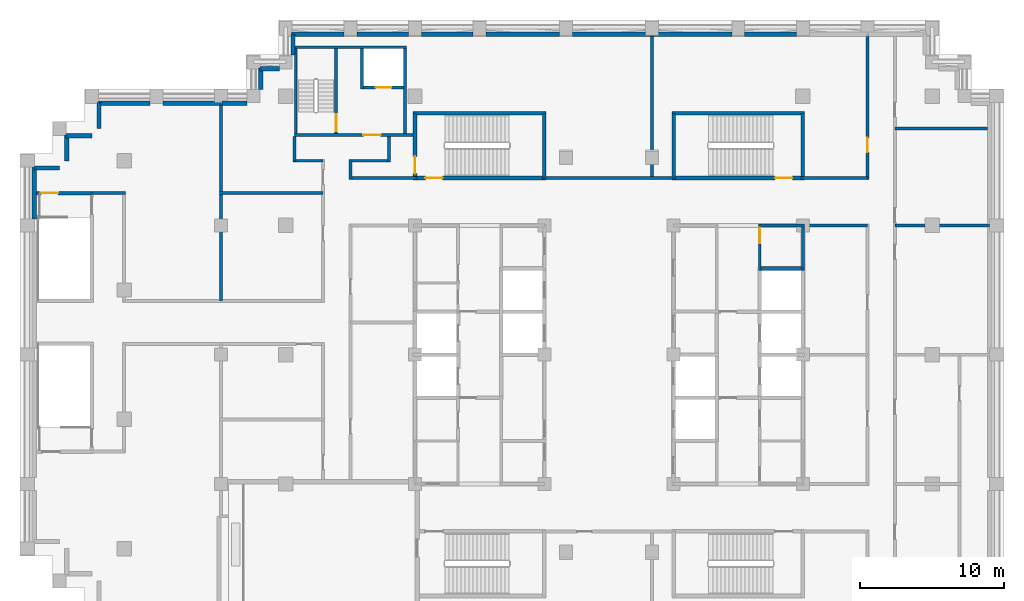
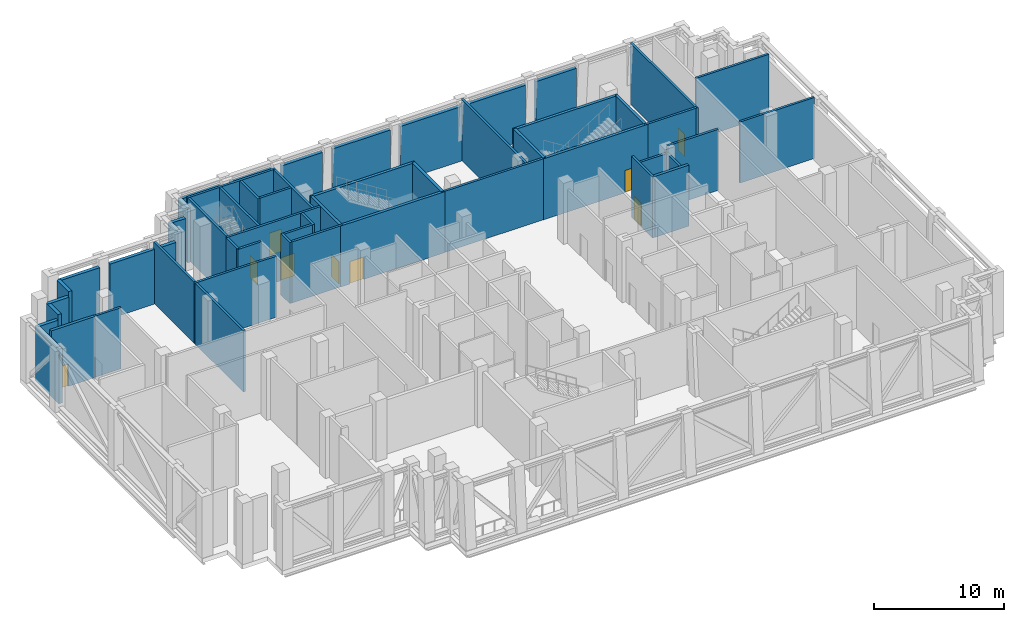
# One storey, part 7 of 10: 54 walls, 9 doors, 9 openings.
"""IFC4 building model written with IfcOpenShell, lengths in metres."""

from ifc_helpers import new_model, si_unit, direction, frame, frame_2d, origin, place, context, subcontext, project, spatial, rectangle, extrude, material, layer, layer_set, type_object, element, fill, save


model = new_model("IFC4")

# Units and contexts
model_context = context("Model", 3, precision=1e-05, world=origin(), true_north=direction((0.0, 1.0)))
body_context = subcontext(model_context, "Body", "Model", "MODEL_VIEW")
ifc_project = project(units=[si_unit("LENGTHUNIT", "METRE"), si_unit("AREAUNIT", "SQUARE_METRE"), si_unit("VOLUMEUNIT", "CUBIC_METRE"), si_unit("PLANEANGLEUNIT", "RADIAN"), si_unit("MASSUNIT", "GRAM", prefix="KILO")], contexts=[model_context])

# Site, building, storey
site_placement = place(None, origin())
site = spatial("IfcSite", under=ifc_project, at=site_placement, CompositionType="ELEMENT")
building_placement = place(site_placement, origin())
building = spatial("IfcBuilding", under=site, at=building_placement, Name="Corbelhall Arena Tower", CompositionType="ELEMENT")
storey_placement = place(building_placement, frame((0.0, 0.0, 236.0)))
storey = spatial("IfcBuildingStorey", under=building, at=storey_placement, Name="L50", CompositionType="ELEMENT", Elevation=236.0)

# Walls
ifc_material_1 = material(Name="Precast concrete C40/50 with granite facing", Category="masonry")
ifc_layer_1 = layer(ifc_material_1, 0.300048828125)
ifc_layer_set_1 = layer_set([ifc_layer_1], Name="EV-IW1 Infill panel 300")
wall_type_1 = type_object("IfcWallType", Name="EV-IW1 Infill panel 300", PredefinedType="SOLIDWALL", material=ifc_layer_set_1)
for number, where, z_axis, x_axis, name in (
    (1, (-35.5, 17.550048828125, 0.0), (0.0, 0.0, 1.0), (0.0, -1.0, 0.0), "Infill panel IW1"),
    (2, (-37.800048828125, 15.25, 0.0), (0.0, 0.0, 1.0), (1.0, 0.0, 0.0), "Infill panel IW1"),
    (3, (-37.75, 15.300048828125, 0.0), (0.0, 0.0, 1.0), (0.0, -1.0, 0.0), "Infill panel IW1"),
):
    element("IfcWall", number, at=place(storey_placement, frame(where, z_axis=z_axis, x_axis=x_axis)), inside=storey, type_object=wall_type_1, Name=name, PredefinedType="SOLIDWALL", context=body_context, shape_type="SweptSolid", body=[
        extrude(rectangle(XDim=1.800048828125, YDim=0.300048828125, at=frame_2d((0.89990234375, 0.0))), origin(), (0.0, 0.0, 1.0), 5.1201171875),
    ])
wall_1_placement = place(storey_placement, frame((-40.0, 13.0, 0.0), z_axis=(0.0, 0.0, 1.0), x_axis=(1.0, 0.0, 0.0)))
element("IfcWall", 4, at=wall_1_placement, inside=storey, type_object=wall_type_1, Name="Infill panel IW1", PredefinedType="SOLIDWALL", context=body_context, shape_type="SweptSolid", body=[
    extrude(rectangle(XDim=1.75, YDim=0.300048828125, at=frame_2d((0.875, 0.0))), origin(), (0.0, 0.0, 1.0), 5.1201171875),
])
wall_2_placement = place(storey_placement, frame((-24.25, 19.949951171875, 0.0), z_axis=(0.0, 0.0, 1.0), x_axis=(0.0, -1.0, 0.0)))
element("IfcWall", 5, at=wall_2_placement, inside=storey, type_object=wall_type_1, Name="Infill panel IW1", PredefinedType="SOLIDWALL", context=body_context, shape_type="SweptSolid", body=[
    extrude(rectangle(XDim=1.5, YDim=0.300048828125, at=frame_2d((0.75, 0.0))), origin(), (0.0, 0.0, 1.0), 5.1201171875),
])
wall_3_placement = place(storey_placement, frame((-25.199951171875, 17.5, 0.0), z_axis=(0.0, 0.0, 1.0), x_axis=(-1.0, 0.0, 0.0)))
element("IfcWall", 6, at=wall_3_placement, inside=storey, type_object=wall_type_1, Name="Infill panel IW1", PredefinedType="SOLIDWALL", context=body_context, shape_type="SweptSolid", body=[
    extrude(rectangle(XDim=1.75, YDim=0.300048828125, at=frame_2d((0.875, 0.0))), origin(), (0.0, 0.0, 1.0), 5.1201171875),
])
wall_4_placement = place(storey_placement, frame((-27.050048828125, 17.5, 0.0), z_axis=(0.0, 0.0, 1.0), x_axis=(-1.0, 0.0, 0.0)))
element("IfcWall", 7, at=wall_4_placement, inside=storey, type_object=wall_type_1, Name="Infill panel IW1", PredefinedType="SOLIDWALL", context=body_context, shape_type="SweptSolid", body=[
    extrude(rectangle(XDim=4.0, YDim=0.300048828125, at=frame_2d((2.0, 0.0))), origin(), (0.0, 0.0, 1.0), 5.1201171875),
])
wall_5_placement = place(storey_placement, frame((-31.949951171875, 17.5, 0.0), z_axis=(0.0, 0.0, 1.0), x_axis=(-1.0, 0.0, 0.0)))
element("IfcWall", 8, at=wall_5_placement, inside=storey, type_object=wall_type_1, Name="Infill panel IW1", PredefinedType="SOLIDWALL", context=body_context, shape_type="SweptSolid", body=[
    extrude(rectangle(XDim=3.60009765625, YDim=0.300048828125, at=frame_2d((1.800048828125, 0.0))), origin(), (0.0, 0.0, 1.0), 5.1201171875),
])
wall_6_placement = place(storey_placement, frame((-40.0, 13.110107421875, 0.0), z_axis=(0.0, 0.0, 1.0), x_axis=(0.0, -1.0, 0.0)))
element("IfcWall", 9, at=wall_6_placement, inside=storey, type_object=wall_type_1, Name="Infill panel IW1", PredefinedType="SOLIDWALL", context=body_context, shape_type="SweptSolid", body=[
    extrude(rectangle(XDim=3.66015625, YDim=0.300048828125, at=frame_2d((1.830078125, 0.0))), origin(), (0.0, 0.0, 1.0), 5.1201171875),
])
wall_7_placement = place(storey_placement, frame((13.050048828125, 22.300048828125, 0.0), z_axis=(0.0, 0.0, 1.0), x_axis=(-1.0, 0.0, 0.0)))
element("IfcWall", 10, at=wall_7_placement, inside=storey, type_object=wall_type_1, Name="Infill panel IW1", PredefinedType="SOLIDWALL", context=body_context, shape_type="SweptSolid", body=[
    extrude(rectangle(XDim=3.60009765625, YDim=0.300048828125, at=frame_2d((1.800048828125, 0.0))), origin(), (0.0, 0.0, 1.0), 5.1201171875),
])
for number, where, z_axis, x_axis, name in (
    (11, (8.550048828125, 22.300048828125, 0.0), (0.0, 0.0, 1.0), (-1.0, 0.0, 0.0), "Infill panel IW1"),
    (12, (2.949951171875, 22.300048828125, 0.0), (0.0, 0.0, 1.0), (-1.0, 0.0, 0.0), "Infill panel IW1"),
):
    element("IfcWall", number, at=place(storey_placement, frame(where, z_axis=z_axis, x_axis=x_axis)), inside=storey, type_object=wall_type_1, Name=name, PredefinedType="SOLIDWALL", context=body_context, shape_type="SweptSolid", body=[
        extrude(rectangle(XDim=5.5, YDim=0.300048828125, at=frame_2d((2.75, 0.0))), origin(), (0.0, 0.0, 1.0), 5.1201171875),
    ])
wall_8_placement = place(storey_placement, frame((-3.449951171875, 22.300048828125, 0.0), z_axis=(0.0, 0.0, 1.0), x_axis=(-1.0, 0.0, 0.0)))
element("IfcWall", 13, at=wall_8_placement, inside=storey, type_object=wall_type_1, Name="Infill panel IW1", PredefinedType="SOLIDWALL", context=body_context, shape_type="SweptSolid", body=[
    extrude(rectangle(XDim=5.10009765625, YDim=0.300048828125, at=frame_2d((2.550048828125, 0.0))), origin(), (0.0, 0.0, 1.0), 5.1201171875),
])
for number, where, z_axis, x_axis, name in (
    (14, (-9.449951171875, 22.300048828125, 0.0), (0.0, 0.0, 1.0), (-1.0, 0.0, 0.0), "Infill panel IW1"),
    (15, (-13.949951171875, 22.300048828125, 0.0), (0.0, 0.0, 1.0), (-1.0, 0.0, 0.0), "Infill panel IW1"),
):
    element("IfcWall", number, at=place(storey_placement, frame(where, z_axis=z_axis, x_axis=x_axis)), inside=storey, type_object=wall_type_1, Name=name, PredefinedType="SOLIDWALL", context=body_context, shape_type="SweptSolid", body=[
        extrude(rectangle(XDim=3.60009765625, YDim=0.300048828125, at=frame_2d((1.800048828125, 0.0))), origin(), (0.0, 0.0, 1.0), 5.1201171875),
    ])
wall_9_placement = place(storey_placement, frame((-18.449951171875, 22.300048828125, 0.0), z_axis=(0.0, 0.0, 1.0), x_axis=(-1.0, 0.0, 0.0)))
element("IfcWall", 16, at=wall_9_placement, inside=storey, type_object=wall_type_1, Name="Infill panel IW1", PredefinedType="SOLIDWALL", context=body_context, shape_type="SweptSolid", body=[
    extrude(rectangle(XDim=3.66015625, YDim=0.300048828125, at=frame_2d((1.830078125, 0.0))), origin(), (0.0, 0.0, 1.0), 5.1201171875),
])
wall_10_placement = place(storey_placement, frame((-22.0, 22.300048828125, 0.0), z_axis=(0.0, 0.0, 1.0), x_axis=(0.0, -1.0, 0.0)))
element("IfcWall", 17, at=wall_10_placement, inside=storey, type_object=wall_type_1, Name="Infill panel IW1", PredefinedType="SOLIDWALL", context=body_context, shape_type="SweptSolid", body=[
    extrude(rectangle(XDim=1.449951171875, YDim=0.300048828125, at=frame_2d((0.72509765625, 0.0))), origin(), (0.0, 0.0, 1.0), 5.1201171875),
])
wall_11_placement = place(storey_placement, frame((-22.949951171875, 19.89990234375, 0.0), z_axis=(0.0, 0.0, 1.0), x_axis=(-1.0, 0.0, 0.0)))
element("IfcWall", 18, at=wall_11_placement, inside=storey, type_object=wall_type_1, Name="Infill panel IW1", PredefinedType="SOLIDWALL", context=body_context, shape_type="SweptSolid", body=[
    extrude(rectangle(XDim=1.35009765625, YDim=0.300048828125, at=frame_2d((0.675048828125, 0.0))), origin(), (0.0, 0.0, 1.0), 5.1201171875),
])
ifc_material_2 = material(Name="Gypsum board on steel stud, acoustic", Category="steel")
ifc_layer_2 = layer(ifc_material_2, 0.199951171875)
ifc_layer_set_2 = layer_set([ifc_layer_2], Name="IN-W-DM200")
wall_type_2 = type_object("IfcWallType", Name="IN-W-DM200", PredefinedType="PARTITIONING", material=ifc_layer_set_2)
wall_12_placement = place(storey_placement, frame((-36.0, 11.25, 0.0), z_axis=(0.0, 0.0, 1.0), x_axis=(1.0, 0.0, 0.0)))
element("IfcWall", 19, at=wall_12_placement, inside=storey, type_object=wall_type_2, Name="Partition 001", PredefinedType="PARTITIONING", context=body_context, shape_type="SweptSolid", body=[
    extrude(rectangle(XDim=2.35009765625, YDim=0.199951171875, at=frame_2d((1.175048828125, 0.0))), origin(), (0.0, 0.0, 1.0), 5.719970703125),
])
wall_13_placement = place(storey_placement, frame((-27.10009765625, 11.25, 0.0), z_axis=(0.0, 0.0, 1.0), x_axis=(1.0, 0.0, 0.0)))
element("IfcWall", 20, at=wall_13_placement, inside=storey, type_object=wall_type_2, Name="Partition 007", PredefinedType="PARTITIONING", context=body_context, shape_type="SweptSolid", body=[
    extrude(rectangle(XDim=7.2001953125, YDim=0.199951171875, at=frame_2d((3.60009765625, 0.0))), origin(), (0.0, 0.0, 1.0), 5.719970703125),
])
wall_14_placement = place(storey_placement, frame((-27.0, 3.75, 0.0), z_axis=(0.0, 0.0, 1.0), x_axis=(0.0, 1.0, 0.0)))
element("IfcWall", 21, at=wall_14_placement, inside=storey, type_object=wall_type_2, Name="Partition 009", PredefinedType="PARTITIONING", context=body_context, shape_type="SweptSolid", body=[
    extrude(rectangle(XDim=13.75, YDim=0.199951171875, at=frame_2d((6.875, 0.0))), origin(), (0.0, 0.0, 1.0), 5.719970703125),
])
wall_15_placement = place(storey_placement, frame((-21.89990234375, 13.5, 0.0), z_axis=(0.0, 0.0, 1.0), x_axis=(0.0, 1.0, 0.0)))
element("IfcWall", 22, at=wall_15_placement, inside=storey, type_object=wall_type_2, Name="Partition 012", PredefinedType="PARTITIONING", context=body_context, shape_type="SweptSolid", body=[
    extrude(rectangle(XDim=1.699951171875, YDim=0.199951171875, at=frame_2d((0.85009765625, 0.0))), origin(), (0.0, 0.0, 1.0), 5.719970703125),
])
wall_16_placement = place(storey_placement, frame((-19.89990234375, 13.5, 0.0), z_axis=(0.0, 0.0, 1.0), x_axis=(-1.0, 0.0, 0.0)))
element("IfcWall", 23, at=wall_16_placement, inside=storey, type_object=wall_type_2, Name="Partition 015", PredefinedType="PARTITIONING", context=body_context, shape_type="SweptSolid", body=[
    extrude(rectangle(XDim=2.10009765625, YDim=0.199951171875, at=frame_2d((1.050048828125, 0.0))), origin(), (0.0, 0.0, 1.0), 5.719970703125),
])
wall_17_placement = place(storey_placement, frame((-18.0, 12.300048828125, 0.0), z_axis=(0.0, 0.0, 1.0), x_axis=(1.0, 0.0, 0.0)))
element("IfcWall", 24, at=wall_17_placement, inside=storey, type_object=wall_type_2, Name="Partition 018", PredefinedType="PARTITIONING", context=body_context, shape_type="SweptSolid", body=[
    extrude(rectangle(XDim=4.625, YDim=0.199951171875, at=frame_2d((2.3125, 0.0))), origin(), (0.0, 0.0, 1.0), 5.719970703125),
])
wall_18_placement = place(storey_placement, frame((-18.0, 13.60009765625, 0.0), z_axis=(0.0, 0.0, 1.0), x_axis=(0.0, -1.0, 0.0)))
element("IfcWall", 25, at=wall_18_placement, inside=storey, type_object=wall_type_2, Name="Partition 019", PredefinedType="PARTITIONING", context=body_context, shape_type="SweptSolid", body=[
    extrude(rectangle(XDim=1.400146484375, YDim=0.199951171875, at=frame_2d((0.7001953125, 0.0))), origin(), (0.0, 0.0, 1.0), 5.719970703125),
])
wall_19_placement = place(storey_placement, frame((-15.300048828125, 13.5, 0.0), z_axis=(0.0, 0.0, 1.0), x_axis=(-1.0, 0.0, 0.0)))
element("IfcWall", 26, at=wall_19_placement, inside=storey, type_object=wall_type_2, Name="Partition 020", PredefinedType="PARTITIONING", context=body_context, shape_type="SweptSolid", body=[
    extrude(rectangle(XDim=2.699951171875, YDim=0.199951171875, at=frame_2d((1.35009765625, 0.0))), origin(), (0.0, 0.0, 1.0), 5.719970703125),
])
wall_20_placement = place(storey_placement, frame((-15.300048828125, 15.199951171875, 0.0), z_axis=(0.0, 0.0, 1.0), x_axis=(0.0, -1.0, 0.0)))
element("IfcWall", 27, at=wall_20_placement, inside=storey, type_object=wall_type_2, Name="Partition 021", PredefinedType="PARTITIONING", context=body_context, shape_type="SweptSolid", body=[
    extrude(rectangle(XDim=1.800048828125, YDim=0.199951171875, at=frame_2d((0.89990234375, 0.0))), origin(), (0.0, 0.0, 1.0), 5.719970703125),
])
wall_21_placement = place(storey_placement, frame((-4.625, 12.300048828125, 0.0), z_axis=(0.0, 0.0, 1.0), x_axis=(1.0, 0.0, 0.0)))
element("IfcWall", 28, at=wall_21_placement, inside=storey, type_object=wall_type_2, Name="Partition 023", PredefinedType="PARTITIONING", context=body_context, shape_type="SweptSolid", body=[
    extrude(rectangle(XDim=9.25, YDim=0.199951171875, at=frame_2d((4.625, 0.0))), origin(), (0.0, 0.0, 1.0), 5.719970703125),
])
wall_22_placement = place(storey_placement, frame((3.0, 22.300048828125, 0.0), z_axis=(0.0, 0.0, 1.0), x_axis=(0.0, -1.0, 0.0)))
element("IfcWall", 29, at=wall_22_placement, inside=storey, type_object=wall_type_2, Name="Partition 026", PredefinedType="PARTITIONING", context=body_context, shape_type="SweptSolid", body=[
    extrude(rectangle(XDim=10.0, YDim=0.199951171875, at=frame_2d((5.0, 0.0))), origin(), (0.0, 0.0, 1.0), 5.719970703125),
])
wall_23_placement = place(storey_placement, frame((13.375, 12.300048828125, 0.0), z_axis=(0.0, 0.0, 1.0), x_axis=(1.0, 0.0, 0.0)))
element("IfcWall", 30, at=wall_23_placement, inside=storey, type_object=wall_type_2, Name="Partition 027", PredefinedType="PARTITIONING", context=body_context, shape_type="SweptSolid", body=[
    extrude(rectangle(XDim=4.625, YDim=0.199951171875, at=frame_2d((2.3125, 0.0))), origin(), (0.0, 0.0, 1.0), 5.719970703125),
])
wall_24_placement = place(storey_placement, frame((18.0, 9.0, 0.0), z_axis=(0.0, 0.0, 1.0), x_axis=(-1.0, 0.0, 0.0)))
element("IfcWall", 31, at=wall_24_placement, inside=storey, type_object=wall_type_2, Name="Partition 033", PredefinedType="PARTITIONING", context=body_context, shape_type="SweptSolid", body=[
    extrude(rectangle(XDim=4.5, YDim=0.199951171875, at=frame_2d((2.25, 0.0))), origin(), (0.0, 0.0, 1.0), 5.719970703125),
])

# Wall, opening, door
wall_25_placement = place(storey_placement, frame((18.0, 12.199951171875, 0.0), z_axis=(0.0, 0.0, 1.0), x_axis=(0.0, 1.0, 0.0)))
wall_25 = element("IfcWall", 32, at=wall_25_placement, inside=storey, type_object=wall_type_2, Name="Partition 034", PredefinedType="PARTITIONING", context=body_context, shape_type="SweptSolid", body=[
    extrude(rectangle(XDim=10.10009765625, YDim=0.199951171875, at=frame_2d((5.050048828125, 0.0))), origin(), (0.0, 0.0, 1.0), 5.719970703125),
])
opening_1_placement = place(wall_25_placement, frame((1.89990234375, 0.0, 0.0)))
opening_1 = element("IfcOpeningElement", 33, at=opening_1_placement, cuts=wall_25, Name="Opening 28028", PredefinedType="OPENING", context=body_context, shape_type="SweptSolid", body=[
    extrude(rectangle(XDim=1.0, YDim=2.10009765625, at=frame_2d((0.5, 1.050048828125))), frame((0.0, 0.10009765625, 0.0), z_axis=(0.0, -1.0, 0.0), x_axis=(1.0, 0.0, 0.0)), (0.0, 0.0, 1.0), 0.199951171875),
])
ifc_material_3 = material(Name="Steel door set", Category="steel")
door_type_1 = type_object("IfcDoorType", Name="IN-D-SW100", OperationType="NOTDEFINED", PredefinedType="DOOR", material=ifc_material_3)
door_1_placement = place(opening_1_placement, origin())
door_1 = element("IfcDoor", 34, at=door_1_placement, inside=storey, type_object=door_type_1, Name="Door 028", OperationType="SINGLE_SWING_LEFT", OverallHeight=2.10009765625, OverallWidth=1.0, PredefinedType="DOOR", context=body_context, shape_type="SweptSolid", body=[
    extrude(rectangle(XDim=1.0, YDim=2.10009765625, at=frame_2d((0.5, 1.050048828125))), frame((0.0, 0.02490234375, 0.0), z_axis=(0.0, -1.0, 0.0), x_axis=(1.0, 0.0, 0.0)), (0.0, 0.0, 1.0), 0.050048828125),
])
fill(opening_1, door_1)

# Walls
wall_26_placement = place(storey_placement, frame((19.89990234375, 9.0, 0.0), z_axis=(0.0, 0.0, 1.0), x_axis=(1.0, 0.0, 0.0)))
element("IfcWall", 35, at=wall_26_placement, inside=storey, type_object=wall_type_2, Name="Partition 038", PredefinedType="PARTITIONING", context=body_context, shape_type="SweptSolid", body=[
    extrude(rectangle(XDim=6.60009765625, YDim=0.199951171875, at=frame_2d((3.300048828125, 0.0))), origin(), (0.0, 0.0, 1.0), 5.719970703125),
])
wall_27_placement = place(storey_placement, frame((19.89990234375, 15.75, 0.0), z_axis=(0.0, 0.0, 1.0), x_axis=(1.0, 0.0, 0.0)))
element("IfcWall", 36, at=wall_27_placement, inside=storey, type_object=wall_type_2, Name="Partition 039", PredefinedType="PARTITIONING", context=body_context, shape_type="SweptSolid", body=[
    extrude(rectangle(XDim=6.4501953125, YDim=0.199951171875, at=frame_2d((3.22509765625, 0.0))), origin(), (0.0, 0.0, 1.0), 5.719970703125),
])

# Wall, opening, door
ifc_material_4 = material(Name="Concrete C40/50", Category="concrete")
ifc_layer_3 = layer(ifc_material_4, 0.199951171875)
ifc_layer_set_3 = layer_set([ifc_layer_3], Name="IN-W-EAR200")
wall_type_3 = type_object("IfcWallType", Name="IN-W-EAR200", PredefinedType="SOLIDWALL", material=ifc_layer_set_3)
wall_28_placement = place(storey_placement, frame((-21.89990234375, 15.300048828125, 0.0), z_axis=(0.0, 0.0, 1.0), x_axis=(1.0, 0.0, 0.0)))
wall_28 = element("IfcWall", 37, at=wall_28_placement, inside=storey, type_object=wall_type_3, Name="Fire service turret wall south", PredefinedType="SOLIDWALL", context=body_context, shape_type="SweptSolid", body=[
    extrude(rectangle(XDim=8.27490234375, YDim=0.199951171875, at=frame_2d((4.137451171875, 0.0))), origin(), (0.0, 0.0, 1.0), 5.719970703125),
])
opening_2_placement = place(wall_28_placement, frame((4.800048828125, 0.0, 0.0)))
opening_2 = element("IfcOpeningElement", 38, at=opening_2_placement, cuts=wall_28, Name="Opening E282", PredefinedType="OPENING", context=body_context, shape_type="SweptSolid", body=[
    extrude(rectangle(XDim=1.199951171875, YDim=2.10009765625, at=frame_2d((0.60009765625, 1.050048828125))), frame((0.0, 0.10009765625, 0.0), z_axis=(0.0, -1.0, 0.0), x_axis=(1.0, 0.0, 0.0)), (0.0, 0.0, 1.0), 0.199951171875),
])
door_type_2 = type_object("IfcDoorType", Name="IN-D-ST120", OperationType="NOTDEFINED", PredefinedType="DOOR", material=ifc_material_3)
door_2_placement = place(opening_2_placement, origin())
door_2 = element("IfcDoor", 39, at=door_2_placement, inside=storey, type_object=door_type_2, Name="Door from fire service lift lobby to circulation", OperationType="SINGLE_SWING_RIGHT", OverallHeight=2.10009765625, OverallWidth=1.199951171875, PredefinedType="DOOR", context=body_context, shape_type="SweptSolid", body=[
    extrude(rectangle(XDim=1.199951171875, YDim=2.10009765625, at=frame_2d((0.60009765625, 1.050048828125))), frame((0.0, 0.02490234375, 0.0), z_axis=(0.0, -1.0, 0.0), x_axis=(1.0, 0.0, 0.0)), (0.0, 0.0, 1.0), 0.050048828125),
])
fill(opening_2, door_2)

# Walls
wall_29_placement = place(storey_placement, frame((-21.89990234375, 21.39990234375, 0.0), z_axis=(0.0, 0.0, 1.0), x_axis=(1.0, 0.0, 0.0)))
element("IfcWall", 40, at=wall_29_placement, inside=storey, type_object=wall_type_3, Name="Fire service turret wall north", PredefinedType="SOLIDWALL", context=body_context, shape_type="SweptSolid", body=[
    extrude(rectangle(XDim=7.7998046875, YDim=0.199951171875, at=frame_2d((3.89990234375, 0.0))), origin(), (0.0, 0.0, 1.0), 5.719970703125),
])
for number, where, z_axis, x_axis, name in (
    (41, (-21.800048828125, 15.39990234375, 0.0), (0.0, 0.0, 1.0), (0.0, 1.0, 0.0), "Fire service turret wall west"),
    (42, (-14.199951171875, 15.39990234375, 0.0), (0.0, 0.0, 1.0), (0.0, 1.0, 0.0), "Fire service turret wall east"),
):
    element("IfcWall", number, at=place(storey_placement, frame(where, z_axis=z_axis, x_axis=x_axis)), inside=storey, type_object=wall_type_3, Name=name, PredefinedType="SOLIDWALL", context=body_context, shape_type="SweptSolid", body=[
        extrude(rectangle(XDim=5.900146484375, YDim=0.199951171875, at=frame_2d((2.9501953125, 0.0))), origin(), (0.0, 0.0, 1.0), 5.719970703125),
    ])

# Wall, opening, door
wall_30_placement = place(storey_placement, frame((-18.989990234375, 15.39990234375, 0.0), z_axis=(0.0, 0.0, 1.0), x_axis=(0.0, 1.0, 0.0)))
wall_30 = element("IfcWall", 43, at=wall_30_placement, inside=storey, type_object=wall_type_3, Name="Fire service turret wall stair", PredefinedType="SOLIDWALL", context=body_context, shape_type="SweptSolid", body=[
    extrude(rectangle(XDim=5.900146484375, YDim=0.199951171875, at=frame_2d((2.9501953125, 0.0))), origin(), (0.0, 0.0, 1.0), 5.719970703125),
])
opening_3_placement = place(wall_30_placement, frame((0.14990234375, 0.0, 0.0)))
opening_3 = element("IfcOpeningElement", 44, at=opening_3_placement, cuts=wall_30, Name="Opening E281", PredefinedType="OPENING", context=body_context, shape_type="SweptSolid", body=[
    extrude(rectangle(XDim=1.199951171875, YDim=2.10009765625, at=frame_2d((0.60009765625, 1.050048828125))), frame((0.0, 0.10009765625, 0.0), z_axis=(0.0, -1.0, 0.0), x_axis=(1.0, 0.0, 0.0)), (0.0, 0.0, 1.0), 0.199951171875),
])
door_3_placement = place(opening_3_placement, origin())
door_3 = element("IfcDoor", 45, at=door_3_placement, inside=storey, type_object=door_type_2, Name="Stair door to fire service lobby", OperationType="SINGLE_SWING_LEFT", OverallHeight=2.10009765625, OverallWidth=1.199951171875, PredefinedType="DOOR", context=body_context, shape_type="SweptSolid", body=[
    extrude(rectangle(XDim=1.199951171875, YDim=2.10009765625, at=frame_2d((0.60009765625, 1.050048828125))), frame((0.0, 0.02490234375, 0.0), z_axis=(0.0, -1.0, 0.0), x_axis=(1.0, 0.0, 0.0)), (0.0, 0.0, 1.0), 0.050048828125),
])
fill(opening_3, door_3)

# Wall
wall_31_placement = place(storey_placement, frame((-17.199951171875, 18.5, 0.0), z_axis=(0.0, 0.0, 1.0), x_axis=(0.0, 1.0, 0.0)))
element("IfcWall", 46, at=wall_31_placement, inside=storey, type_object=wall_type_3, Name="Fire service turret wall hoistway west", PredefinedType="SOLIDWALL", context=body_context, shape_type="SweptSolid", body=[
    extrude(rectangle(XDim=2.800048828125, YDim=0.199951171875, at=frame_2d((1.39990234375, 0.0))), origin(), (0.0, 0.0, 1.0), 5.719970703125),
])

# Wall, opening, door
wall_32_placement = place(storey_placement, frame((-17.10009765625, 18.60009765625, 0.0), z_axis=(0.0, 0.0, 1.0), x_axis=(1.0, 0.0, 0.0)))
wall_32 = element("IfcWall", 47, at=wall_32_placement, inside=storey, type_object=wall_type_3, Name="Fire service turret wall hoistway south", PredefinedType="SOLIDWALL", context=body_context, shape_type="SweptSolid", body=[
    extrude(rectangle(XDim=2.800048828125, YDim=0.199951171875, at=frame_2d((1.39990234375, 0.0))), origin(), (0.0, 0.0, 1.0), 5.719970703125),
])
opening_4_placement = place(wall_32_placement, frame((0.85009765625, 0.0, 0.0)))
opening_4 = element("IfcOpeningElement", 48, at=opening_4_placement, cuts=wall_32, Name="Opening LD", PredefinedType="OPENING", context=body_context, shape_type="SweptSolid", body=[
    extrude(rectangle(XDim=1.10009765625, YDim=2.10009765625, at=frame_2d((0.550048828125, 1.050048828125))), frame((0.0, 0.10009765625, 0.0), z_axis=(0.0, -1.0, 0.0), x_axis=(1.0, 0.0, 0.0)), (0.0, 0.0, 1.0), 0.199951171875),
])
door_type_3 = type_object("IfcDoorType", Name="IN-D-LD110", OperationType="NOTDEFINED", PredefinedType="DOOR", material=ifc_material_3)
door_4_placement = place(opening_4_placement, origin())
door_4 = element("IfcDoor", 49, at=door_4_placement, inside=storey, type_object=door_type_3, Name="Landing door FS1", OperationType="SLIDING_TO_LEFT", OverallHeight=2.10009765625, OverallWidth=1.10009765625, PredefinedType="DOOR", context=body_context, shape_type="SweptSolid", body=[
    extrude(rectangle(XDim=1.10009765625, YDim=2.10009765625, at=frame_2d((0.550048828125, 1.050048828125))), frame((0.0, 0.02490234375, 0.0), z_axis=(0.0, -1.0, 0.0), x_axis=(1.0, 0.0, 0.0)), (0.0, 0.0, 1.0), 0.050048828125),
])
fill(opening_4, door_4)

ifc_material_5 = material(Name="Concrete block wall", Category="concrete")
ifc_layer_4 = layer(ifc_material_5, 0.199951171875)
ifc_layer_set_4 = layer_set([ifc_layer_4], Name="IN-W-RS200")
wall_type_4 = type_object("IfcWallType", Name="IN-W-RS200", PredefinedType="SOLIDWALL", material=ifc_layer_set_4)
wall_33_placement = place(storey_placement, frame((10.5, 9.10009765625, 0.0), z_axis=(0.0, 0.0, 1.0), x_axis=(0.0, -1.0, 0.0)))
wall_33 = element("IfcWall", 50, at=wall_33_placement, inside=storey, type_object=wall_type_4, Name="Partition 063", PredefinedType="SOLIDWALL", context=body_context, shape_type="SweptSolid", body=[
    extrude(rectangle(XDim=3.22509765625, YDim=0.199951171875, at=frame_2d((1.612548828125, 0.0))), origin(), (0.0, 0.0, 1.0), 5.719970703125),
])
opening_5_placement = place(wall_33_placement, frame((0.25, 0.0, 0.0)))
opening_5 = element("IfcOpeningElement", 51, at=opening_5_placement, cuts=wall_33, Name="Opening 28016", PredefinedType="OPENING", context=body_context, shape_type="SweptSolid", body=[
    extrude(rectangle(XDim=1.10009765625, YDim=2.10009765625, at=frame_2d((0.550048828125, 1.050048828125))), frame((0.0, 0.10009765625, 0.0), z_axis=(0.0, -1.0, 0.0), x_axis=(1.0, 0.0, 0.0)), (0.0, 0.0, 1.0), 0.199951171875),
])
door_type_4 = type_object("IfcDoorType", Name="IN-D-FD110", OperationType="NOTDEFINED", PredefinedType="DOOR", material=ifc_material_3)
door_5_placement = place(opening_5_placement, origin())
door_5 = element("IfcDoor", 52, at=door_5_placement, inside=storey, type_object=door_type_4, Name="Door 016", OperationType="SINGLE_SWING_LEFT", OverallHeight=2.10009765625, OverallWidth=1.10009765625, PredefinedType="DOOR", context=body_context, shape_type="SweptSolid", body=[
    extrude(rectangle(XDim=1.10009765625, YDim=2.10009765625, at=frame_2d((0.550048828125, 1.050048828125))), frame((0.0, 0.02490234375, 0.0), z_axis=(0.0, -1.0, 0.0), x_axis=(1.0, 0.0, 0.0)), (0.0, 0.0, 1.0), 0.050048828125),
])
fill(opening_5, door_5)

# Walls
ifc_layer_5 = layer(ifc_material_5, 0.199951171875)
ifc_layer_set_5 = layer_set([ifc_layer_5], Name="IN-W-RS200 under beam 678 mm")
wall_type_5 = type_object("IfcWallType", Name="IN-W-RS200 under beam 678 mm", PredefinedType="SOLIDWALL", material=ifc_layer_set_5)
for number, where, z_axis, x_axis, name in (
    (53, (10.5, 9.0, 0.0), (0.0, 0.0, 1.0), (1.0, 0.0, 0.0), "Partition 062"),
    (54, (13.5, 9.10009765625, 0.0), (0.0, 0.0, 1.0), (0.0, -1.0, 0.0), "Partition 065"),
):
    element("IfcWall", number, at=place(storey_placement, frame(where, z_axis=z_axis, x_axis=x_axis)), inside=storey, type_object=wall_type_5, Name=name, PredefinedType="SOLIDWALL", context=body_context, shape_type="SweptSolid", body=[
        extrude(rectangle(XDim=3.10009765625, YDim=0.199951171875, at=frame_2d((1.550048828125, 0.0))), origin(), (0.0, 0.0, 1.0), 5.041748046875),
    ])
ifc_layer_6 = layer(ifc_material_4, 0.25)
ifc_layer_set_6 = layer_set([ifc_layer_6], Name="IN-W-SH250")
wall_type_6 = type_object("IfcWallType", Name="IN-W-SH250", PredefinedType="SOLIDWALL", material=ifc_layer_set_6)
wall_34_placement = place(storey_placement, frame((10.5, 6.0, 0.0), z_axis=(0.0, 0.0, 1.0), x_axis=(1.0, 0.0, 0.0)))
element("IfcWall", 55, at=wall_34_placement, inside=storey, type_object=wall_type_6, Name="Shaft wall 083", PredefinedType="SOLIDWALL", context=body_context, shape_type="SweptSolid", body=[
    extrude(rectangle(XDim=3.125, YDim=0.25, at=frame_2d((1.5625, 0.0))), origin(), (0.0, 0.0, 1.0), 5.719970703125),
])

# Wall, opening, door
ifc_layer_7 = layer(ifc_material_4, 0.25)
ifc_layer_set_7 = layer_set([ifc_layer_7], Name="IN-W-ST250")
wall_type_7 = type_object("IfcWallType", Name="IN-W-ST250", PredefinedType="SOLIDWALL", material=ifc_layer_set_7)
wall_35_placement = place(storey_placement, frame((-39.85009765625, 11.25, 0.0), z_axis=(0.0, 0.0, 1.0), x_axis=(1.0, 0.0, 0.0)))
wall_35 = element("IfcWall", 56, at=wall_35_placement, inside=storey, type_object=wall_type_7, Name="Shaft wall 086", PredefinedType="SOLIDWALL", context=body_context, shape_type="SweptSolid", body=[
    extrude(rectangle(XDim=3.85009765625, YDim=0.25, at=frame_2d((1.925048828125, 0.0))), origin(), (0.0, 0.0, 1.0), 5.719970703125),
])
opening_6_placement = place(wall_35_placement, frame((0.300048828125, 0.0, 0.0)))
opening_6 = element("IfcOpeningElement", 57, at=opening_6_placement, cuts=wall_35, Name="Opening 28042", PredefinedType="OPENING", context=body_context, shape_type="SweptSolid", body=[
    extrude(rectangle(XDim=1.199951171875, YDim=2.10009765625, at=frame_2d((0.60009765625, 1.050048828125))), frame((0.0, 0.125, 0.0), z_axis=(0.0, -1.0, 0.0), x_axis=(1.0, 0.0, 0.0)), (0.0, 0.0, 1.0), 0.25),
])
door_6_placement = place(opening_6_placement, origin())
door_6 = element("IfcDoor", 58, at=door_6_placement, inside=storey, type_object=door_type_2, Name="Door 042", OperationType="SINGLE_SWING_LEFT", OverallHeight=2.10009765625, OverallWidth=1.199951171875, PredefinedType="DOOR", context=body_context, shape_type="SweptSolid", body=[
    extrude(rectangle(XDim=1.199951171875, YDim=2.10009765625, at=frame_2d((0.60009765625, 1.050048828125))), frame((0.0, 0.02490234375, 0.0), z_axis=(0.0, -1.0, 0.0), x_axis=(1.0, 0.0, 0.0)), (0.0, 0.0, 1.0), 0.050048828125),
])
fill(opening_6, door_6)

wall_36_placement = place(storey_placement, frame((-13.625, 12.300048828125, 0.0), z_axis=(0.0, 0.0, 1.0), x_axis=(1.0, 0.0, 0.0)))
wall_36 = element("IfcWall", 59, at=wall_36_placement, inside=storey, type_object=wall_type_7, Name="Shaft wall 091", PredefinedType="SOLIDWALL", context=body_context, shape_type="SweptSolid", body=[
    extrude(rectangle(XDim=9.25, YDim=0.25, at=frame_2d((4.625, 0.0))), origin(), (0.0, 0.0, 1.0), 5.719970703125),
])
opening_7_placement = place(wall_36_placement, frame((0.85009765625, 0.0, 0.0)))
opening_7 = element("IfcOpeningElement", 60, at=opening_7_placement, cuts=wall_36, Name="Opening 28017", PredefinedType="OPENING", context=body_context, shape_type="SweptSolid", body=[
    extrude(rectangle(XDim=1.199951171875, YDim=2.10009765625, at=frame_2d((0.60009765625, 1.050048828125))), frame((0.0, 0.125, 0.0), z_axis=(0.0, -1.0, 0.0), x_axis=(1.0, 0.0, 0.0)), (0.0, 0.0, 1.0), 0.25),
])
door_7_placement = place(opening_7_placement, origin())
door_7 = element("IfcDoor", 61, at=door_7_placement, inside=storey, type_object=door_type_2, Name="Door 017", OperationType="SINGLE_SWING_RIGHT", OverallHeight=2.10009765625, OverallWidth=1.199951171875, PredefinedType="DOOR", context=body_context, shape_type="SweptSolid", body=[
    extrude(rectangle(XDim=1.199951171875, YDim=2.10009765625, at=frame_2d((0.60009765625, 1.050048828125))), frame((0.0, 0.02490234375, 0.0), z_axis=(0.0, -1.0, 0.0), x_axis=(1.0, 0.0, 0.0)), (0.0, 0.0, 1.0), 0.050048828125),
])
fill(opening_7, door_7)

# Wall
wall_37_placement = place(storey_placement, frame((-13.625, 16.800048828125, 0.0), z_axis=(0.0, 0.0, 1.0), x_axis=(1.0, 0.0, 0.0)))
element("IfcWall", 62, at=wall_37_placement, inside=storey, type_object=wall_type_7, Name="Shaft wall 092", PredefinedType="SOLIDWALL", context=body_context, shape_type="SweptSolid", body=[
    extrude(rectangle(XDim=9.25, YDim=0.25, at=frame_2d((4.625, 0.0))), origin(), (0.0, 0.0, 1.0), 5.719970703125),
])

# Wall, opening, door
wall_38_placement = place(storey_placement, frame((-13.5, 12.300048828125, 0.0), z_axis=(0.0, 0.0, 1.0), x_axis=(0.0, 1.0, 0.0)))
wall_38 = element("IfcWall", 63, at=wall_38_placement, inside=storey, type_object=wall_type_7, Name="Shaft wall 093", PredefinedType="SOLIDWALL", context=body_context, shape_type="SweptSolid", body=[
    extrude(rectangle(XDim=4.5, YDim=0.25, at=frame_2d((2.25, 0.0))), origin(), (0.0, 0.0, 1.0), 5.719970703125),
])
opening_8_placement = place(wall_38_placement, frame((0.300048828125, 0.0, 0.0)))
opening_8 = element("IfcOpeningElement", 64, at=opening_8_placement, cuts=wall_38, Name="Opening 28027", PredefinedType="OPENING", context=body_context, shape_type="SweptSolid", body=[
    extrude(rectangle(XDim=1.199951171875, YDim=2.10009765625, at=frame_2d((0.60009765625, 1.050048828125))), frame((0.0, 0.125, 0.0), z_axis=(0.0, -1.0, 0.0), x_axis=(1.0, 0.0, 0.0)), (0.0, 0.0, 1.0), 0.25),
])
door_8_placement = place(opening_8_placement, origin())
door_8 = element("IfcDoor", 65, at=door_8_placement, inside=storey, type_object=door_type_2, Name="Door 027", OperationType="SINGLE_SWING_RIGHT", OverallHeight=2.10009765625, OverallWidth=1.199951171875, PredefinedType="DOOR", context=body_context, shape_type="SweptSolid", body=[
    extrude(rectangle(XDim=1.199951171875, YDim=2.10009765625, at=frame_2d((0.60009765625, 1.050048828125))), frame((0.0, 0.02490234375, 0.0), z_axis=(0.0, -1.0, 0.0), x_axis=(1.0, 0.0, 0.0)), (0.0, 0.0, 1.0), 0.050048828125),
])
fill(opening_8, door_8)

# Wall
wall_39_placement = place(storey_placement, frame((-4.5, 16.800048828125, 0.0), z_axis=(0.0, 0.0, 1.0), x_axis=(0.0, -1.0, 0.0)))
element("IfcWall", 66, at=wall_39_placement, inside=storey, type_object=wall_type_7, Name="Shaft wall 095", PredefinedType="SOLIDWALL", context=body_context, shape_type="SweptSolid", body=[
    extrude(rectangle(XDim=4.5, YDim=0.25, at=frame_2d((2.25, 0.0))), origin(), (0.0, 0.0, 1.0), 5.719970703125),
])

# Wall, opening, door
wall_40_placement = place(storey_placement, frame((4.375, 12.300048828125, 0.0), z_axis=(0.0, 0.0, 1.0), x_axis=(1.0, 0.0, 0.0)))
wall_40 = element("IfcWall", 67, at=wall_40_placement, inside=storey, type_object=wall_type_7, Name="Shaft wall 098", PredefinedType="SOLIDWALL", context=body_context, shape_type="SweptSolid", body=[
    extrude(rectangle(XDim=9.25, YDim=0.25, at=frame_2d((4.625, 0.0))), origin(), (0.0, 0.0, 1.0), 5.719970703125),
])
opening_9_placement = place(wall_40_placement, frame((7.199951171875, 0.0, 0.0)))
opening_9 = element("IfcOpeningElement", 68, at=opening_9_placement, cuts=wall_40, Name="Opening 28019", PredefinedType="OPENING", context=body_context, shape_type="SweptSolid", body=[
    extrude(rectangle(XDim=1.199951171875, YDim=2.10009765625, at=frame_2d((0.60009765625, 1.050048828125))), frame((0.0, 0.125, 0.0), z_axis=(0.0, -1.0, 0.0), x_axis=(1.0, 0.0, 0.0)), (0.0, 0.0, 1.0), 0.25),
])
door_9_placement = place(opening_9_placement, origin())
door_9 = element("IfcDoor", 69, at=door_9_placement, inside=storey, type_object=door_type_2, Name="Door 019", OperationType="SINGLE_SWING_RIGHT", OverallHeight=2.10009765625, OverallWidth=1.199951171875, PredefinedType="DOOR", context=body_context, shape_type="SweptSolid", body=[
    extrude(rectangle(XDim=1.199951171875, YDim=2.10009765625, at=frame_2d((0.60009765625, 1.050048828125))), frame((0.0, 0.02490234375, 0.0), z_axis=(0.0, -1.0, 0.0), x_axis=(1.0, 0.0, 0.0)), (0.0, 0.0, 1.0), 0.050048828125),
])
fill(opening_9, door_9)

# Walls
wall_41_placement = place(storey_placement, frame((4.375, 16.800048828125, 0.0), z_axis=(0.0, 0.0, 1.0), x_axis=(1.0, 0.0, 0.0)))
element("IfcWall", 70, at=wall_41_placement, inside=storey, type_object=wall_type_7, Name="Shaft wall 099", PredefinedType="SOLIDWALL", context=body_context, shape_type="SweptSolid", body=[
    extrude(rectangle(XDim=9.25, YDim=0.25, at=frame_2d((4.625, 0.0))), origin(), (0.0, 0.0, 1.0), 5.719970703125),
])
for number, where, z_axis, x_axis, name in (
    (71, (4.5, 12.300048828125, 0.0), (0.0, 0.0, 1.0), (0.0, 1.0, 0.0), "Shaft wall 101"),
    (72, (13.5, 16.800048828125, 0.0), (0.0, 0.0, 1.0), (0.0, -1.0, 0.0), "Shaft wall 104"),
):
    element("IfcWall", number, at=place(storey_placement, frame(where, z_axis=z_axis, x_axis=x_axis)), inside=storey, type_object=wall_type_7, Name=name, PredefinedType="SOLIDWALL", context=body_context, shape_type="SweptSolid", body=[
        extrude(rectangle(XDim=4.5, YDim=0.25, at=frame_2d((2.25, 0.0))), origin(), (0.0, 0.0, 1.0), 5.719970703125),
    ])

save(model, "model.ifc")
